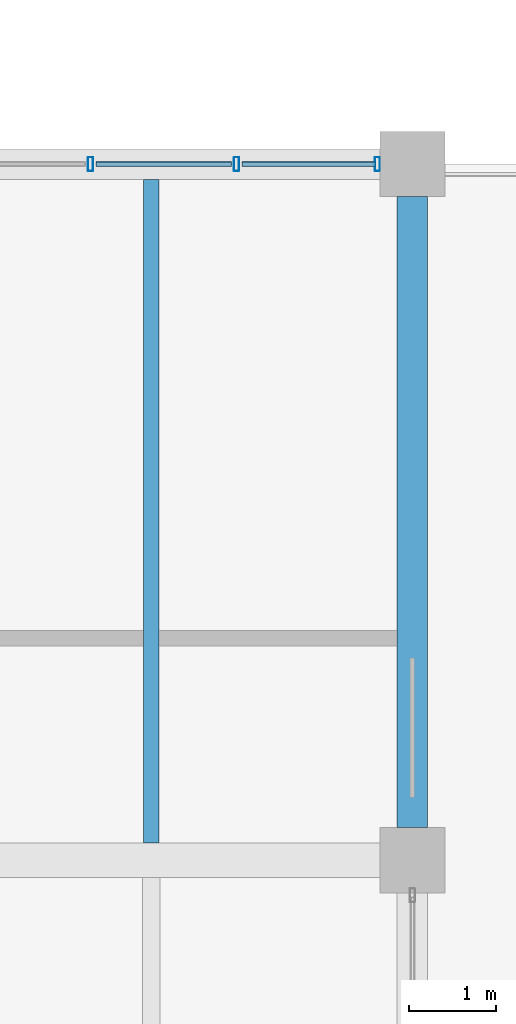
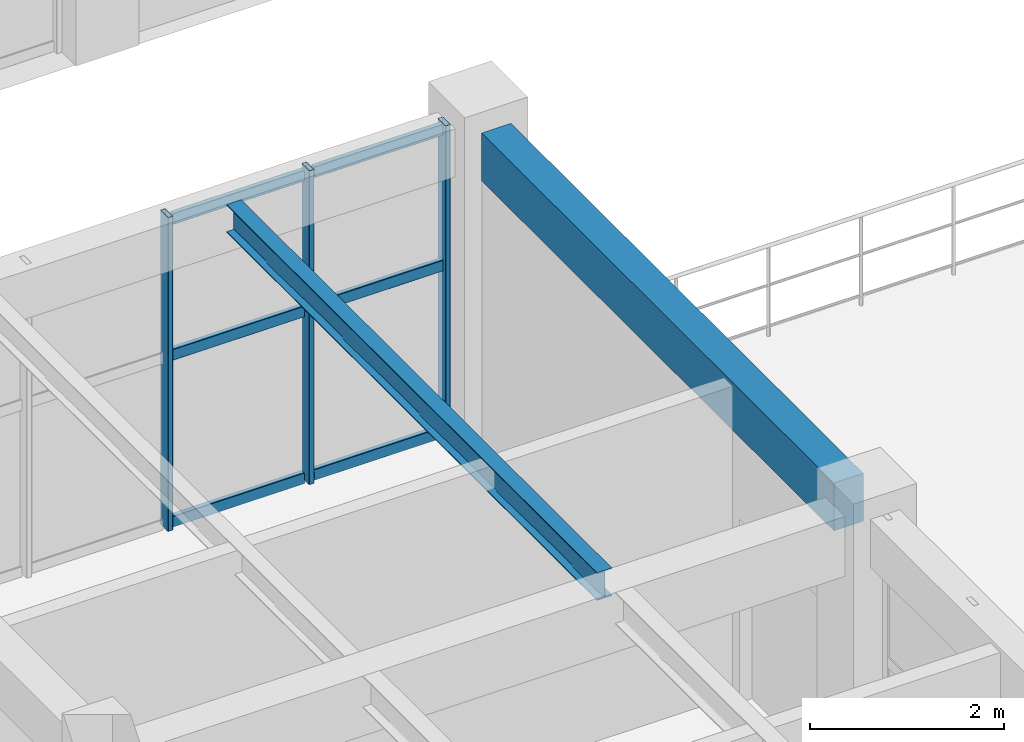
# One storey, part 24 of 148: 9 members, 2 beams, 1 element without a shape of its own.
"""IFC4 building model written with IfcOpenShell, lengths in metres."""

from ifc_helpers import new_model, si_unit, derived_unit, direction, frame, origin, origin_2d, place, context, subcontext, project, spatial, rectangle, hollow_rectangle, i_section, extrude, material, material_profile, profile_set, type_object, element, aggregate, save


model = new_model("IFC4")

# Units and contexts
model_context = context("Model", 3, precision=1e-05, world=origin(), true_north=direction((0.0, 1.0)))
body_context = subcontext(model_context, "Body", "Model", "MODEL_VIEW")
ifc_project = project(units=[si_unit("LENGTHUNIT", "METRE"), si_unit("AREAUNIT", "SQUARE_METRE"), si_unit("VOLUMEUNIT", "CUBIC_METRE"), si_unit("PLANEANGLEUNIT", "RADIAN"), si_unit("MASSUNIT", "GRAM", prefix="KILO"), derived_unit("THERMALTRANSMITTANCEUNIT", [(si_unit("MASSUNIT", "GRAM", prefix="KILO"), 1), (si_unit("TIMEUNIT", "SECOND"), -3), (si_unit("THERMODYNAMICTEMPERATUREUNIT", "KELVIN"), -1)])], contexts=[model_context])

# Site, building, storey
site_placement = place(None, origin())
site = spatial("IfcSite", under=ifc_project, at=site_placement, CompositionType="ELEMENT")
building_placement = place(site_placement, origin())
building = spatial("IfcBuilding", under=site, at=building_placement, Name="Zhenchuan Archway Interchange", CompositionType="ELEMENT")
storey_placement = place(building_placement, frame((0.0, 0.0, 10.199951171875)))
storey = spatial("IfcBuildingStorey", under=building, at=storey_placement, Name="L02", CompositionType="ELEMENT", Elevation=10.199951171875)

# Curtain wall, members
ifc_material_1 = material(Name="Anodised Aluminium", Category="aluminium")
curtain_wall_type = type_object("IfcCurtainWallType", Name="CW_UNIT_3", PredefinedType="NOTDEFINED", material=ifc_material_1)
curtain_wall_placement = place(storey_placement, origin())
curtain_wall = element("IfcCurtainWall", 1, at=curtain_wall_placement, inside=storey, type_object=curtain_wall_type, Name="Unitised curtain wall CW:L02:114", PredefinedType="NOTDEFINED")
ifc_material_profile_1 = material_profile(ifc_material_1, hollow_rectangle(XDim=0.06005859375, YDim=0.159912109375, WallThickness=0.00390625, InnerFilletRadius=0.00390625, OuterFilletRadius=0.008056640625, at=origin_2d()), Name="ALU 160x60x4")
ifc_profile_set_1 = profile_set([ifc_material_profile_1], Name="Anodised Aluminium")
member_type_1 = type_object("IfcMemberType", Name="CW_MUL_150", PredefinedType="MULLION", material=ifc_profile_set_1)
member_1_placement = place(storey_placement, frame((32.301513671875, 16.0, 0.0), z_axis=(0.0, 0.0, 1.0), x_axis=(1.0, 0.0, 0.0)))
member_1 = element("IfcMember", 2, at=member_1_placement, type_object=member_type_1, Name="CW:L02:114 mullion 3", PredefinedType="MULLION", context=body_context, shape_type="SweptSolid", body=[
    extrude(hollow_rectangle(XDim=0.06005859375, YDim=0.159912109375, WallThickness=0.00390625, InnerFilletRadius=0.00390625, OuterFilletRadius=0.008056640625, at=origin_2d()), origin(), (0.0, 0.0, 1.0), 3.93994140625),
])
member_2_placement = place(storey_placement, frame((33.979248046875, 16.0, 0.0), z_axis=(0.0, 0.0, 1.0), x_axis=(1.0, 0.0, 0.0)))
member_2 = element("IfcMember", 3, at=member_2_placement, type_object=member_type_1, Name="CW:L02:114 mullion 4", PredefinedType="MULLION", context=body_context, shape_type="SweptSolid", body=[
    extrude(hollow_rectangle(XDim=0.06005859375, YDim=0.159912109375, WallThickness=0.00390625, InnerFilletRadius=0.00390625, OuterFilletRadius=0.008056640625, at=origin_2d()), origin(), (0.0, 0.0, 1.0), 3.93994140625),
])
member_3_placement = place(storey_placement, frame((35.596923828125, 16.0, 0.0), z_axis=(0.0, 0.0, 1.0), x_axis=(1.0, 0.0, 0.0)))
member_3 = element("IfcMember", 4, at=member_3_placement, type_object=member_type_1, Name="CW:L02:114 mullion 5", PredefinedType="MULLION", context=body_context, shape_type="SweptSolid", body=[
    extrude(hollow_rectangle(XDim=0.06005859375, YDim=0.159912109375, WallThickness=0.00390625, InnerFilletRadius=0.00390625, OuterFilletRadius=0.008056640625, at=origin_2d()), origin(), (0.0, 0.0, 1.0), 3.93994140625),
])
ifc_material_profile_2 = material_profile(ifc_material_1, hollow_rectangle(XDim=0.06005859375, YDim=0.139892578125, WallThickness=0.00341796875, InnerFilletRadius=0.00341796875, OuterFilletRadius=0.007080078125, at=origin_2d()), Name="ALU 140x60x3.5")
ifc_profile_set_2 = profile_set([ifc_material_profile_2], Name="Anodised Aluminium")
member_type_2 = type_object("IfcMemberType", Name="CW_TRN_140", PredefinedType="USERDEFINED", material=ifc_profile_set_2)
member_4_placement = place(storey_placement, frame((32.361328125, 16.0, 0.06005859375), z_axis=(1.0, 0.0, 0.0), x_axis=(0.0, 1.0, 0.0)))
member_4 = element("IfcMember", 5, at=member_4_placement, type_object=member_type_2, Name="CW:L02:114 transom 3-1", ObjectType="TRANSOM", PredefinedType="USERDEFINED", context=body_context, shape_type="SweptSolid", body=[
    extrude(hollow_rectangle(XDim=0.06005859375, YDim=0.139892578125, WallThickness=0.00341796875, InnerFilletRadius=0.00341796875, OuterFilletRadius=0.007080078125, at=origin_2d()), origin(), (0.0, 0.0, 1.0), 1.557861328125),
])
member_5_placement = place(storey_placement, frame((32.361328125, 16.0, 2.156005859375), z_axis=(1.0, 0.0, 0.0), x_axis=(0.0, 1.0, 0.0)))
member_5 = element("IfcMember", 6, at=member_5_placement, type_object=member_type_2, Name="CW:L02:114 transom 3-2", ObjectType="TRANSOM", PredefinedType="USERDEFINED", context=body_context, shape_type="SweptSolid", body=[
    extrude(hollow_rectangle(XDim=0.06005859375, YDim=0.139892578125, WallThickness=0.00341796875, InnerFilletRadius=0.00341796875, OuterFilletRadius=0.007080078125, at=origin_2d()), origin(), (0.0, 0.0, 1.0), 1.557861328125),
])
member_6_placement = place(storey_placement, frame((32.361328125, 16.0, 3.860107421875), z_axis=(1.0, 0.0, 0.0), x_axis=(0.0, 1.0, 0.0)))
member_6 = element("IfcMember", 7, at=member_6_placement, type_object=member_type_2, Name="CW:L02:114 transom 3-3", ObjectType="TRANSOM", PredefinedType="USERDEFINED", context=body_context, shape_type="SweptSolid", body=[
    extrude(hollow_rectangle(XDim=0.06005859375, YDim=0.139892578125, WallThickness=0.00341796875, InnerFilletRadius=0.00341796875, OuterFilletRadius=0.007080078125, at=origin_2d()), origin(), (0.0, 0.0, 1.0), 1.557861328125),
])
member_7_placement = place(storey_placement, frame((34.039306640625, 16.0, 0.06005859375), z_axis=(1.0, 0.0, 0.0), x_axis=(0.0, 1.0, 0.0)))
member_7 = element("IfcMember", 8, at=member_7_placement, type_object=member_type_2, Name="CW:L02:114 transom 4-1", ObjectType="TRANSOM", PredefinedType="USERDEFINED", context=body_context, shape_type="SweptSolid", body=[
    extrude(hollow_rectangle(XDim=0.06005859375, YDim=0.139892578125, WallThickness=0.00341796875, InnerFilletRadius=0.00341796875, OuterFilletRadius=0.007080078125, at=origin_2d()), origin(), (0.0, 0.0, 1.0), 1.53759765625),
])
member_8_placement = place(storey_placement, frame((34.039306640625, 16.0, 2.156005859375), z_axis=(1.0, 0.0, 0.0), x_axis=(0.0, 1.0, 0.0)))
member_8 = element("IfcMember", 9, at=member_8_placement, type_object=member_type_2, Name="CW:L02:114 transom 4-2", ObjectType="TRANSOM", PredefinedType="USERDEFINED", context=body_context, shape_type="SweptSolid", body=[
    extrude(hollow_rectangle(XDim=0.06005859375, YDim=0.139892578125, WallThickness=0.00341796875, InnerFilletRadius=0.00341796875, OuterFilletRadius=0.007080078125, at=origin_2d()), origin(), (0.0, 0.0, 1.0), 1.53759765625),
])
member_9_placement = place(storey_placement, frame((34.039306640625, 16.0, 3.860107421875), z_axis=(1.0, 0.0, 0.0), x_axis=(0.0, 1.0, 0.0)))
member_9 = element("IfcMember", 10, at=member_9_placement, type_object=member_type_2, Name="CW:L02:114 transom 4-3", ObjectType="TRANSOM", PredefinedType="USERDEFINED", context=body_context, shape_type="SweptSolid", body=[
    extrude(hollow_rectangle(XDim=0.06005859375, YDim=0.139892578125, WallThickness=0.00341796875, InnerFilletRadius=0.00341796875, OuterFilletRadius=0.007080078125, at=origin_2d()), origin(), (0.0, 0.0, 1.0), 1.53759765625),
])
aggregate(curtain_wall, [member_1, member_2, member_3, member_4, member_5, member_6, member_7, member_8, member_9])

# Beams
ifc_material_2 = material(Name="Steel Q355", Category="steel")
ifc_material_profile_3 = material_profile(ifc_material_2, i_section(OverallWidth=0.175048828125, OverallDepth=0.35009765625, WebThickness=0.007080078125, FlangeThickness=0.010986328125, FilletRadius=0.013916015625, at=origin_2d()), Name="HN 350x175")
ifc_profile_set_3 = profile_set([ifc_material_profile_3], Name="Steel Q355")
beam_type_1 = type_object("IfcBeamType", Name="JST_STL_HN350", PredefinedType="JOIST", material=ifc_profile_set_3)
beam_1_placement = place(storey_placement, frame((33.0, 8.199951171875, 3.76513671875), z_axis=(0.0, 1.0, 0.0), x_axis=(-1.0, 0.0, 0.0)))
element("IfcBeam", 11, at=beam_1_placement, inside=storey, type_object=beam_type_1, Name="Secondary joist 4-5/B-C #2 (L02)", PredefinedType="JOIST", context=body_context, shape_type="SweptSolid", body=[
    extrude(i_section(OverallWidth=0.175048828125, OverallDepth=0.35009765625, WebThickness=0.007080078125, FlangeThickness=0.010986328125, FilletRadius=0.013916015625, at=origin_2d()), origin(), (0.0, 0.0, 1.0), 7.625),
])
ifc_material_3 = material(Name="Concrete C40", Category="concrete")
ifc_material_profile_4 = material_profile(ifc_material_3, rectangle(XDim=0.35009765625, YDim=0.60009765625, at=origin_2d()), Name="RC 350x600")
ifc_profile_set_4 = profile_set([ifc_material_profile_4], Name="Concrete C40")
beam_type_2 = type_object("IfcBeamType", Name="SP_RC_350x600", PredefinedType="SPANDREL", material=ifc_profile_set_4)
beam_2_placement = place(storey_placement, frame((36.0, 8.375, 3.64013671875), z_axis=(0.0, 1.0, 0.0), x_axis=(-1.0, 0.0, 0.0)))
element("IfcBeam", 12, at=beam_2_placement, inside=storey, type_object=beam_type_2, Name="Beam 5:B-C (L02)", PredefinedType="SPANDREL", context=body_context, shape_type="SweptSolid", body=[
    extrude(rectangle(XDim=0.35009765625, YDim=0.60009765625, at=origin_2d()), origin(), (0.0, 0.0, 1.0), 7.25),
])

save(model, "model.ifc")
